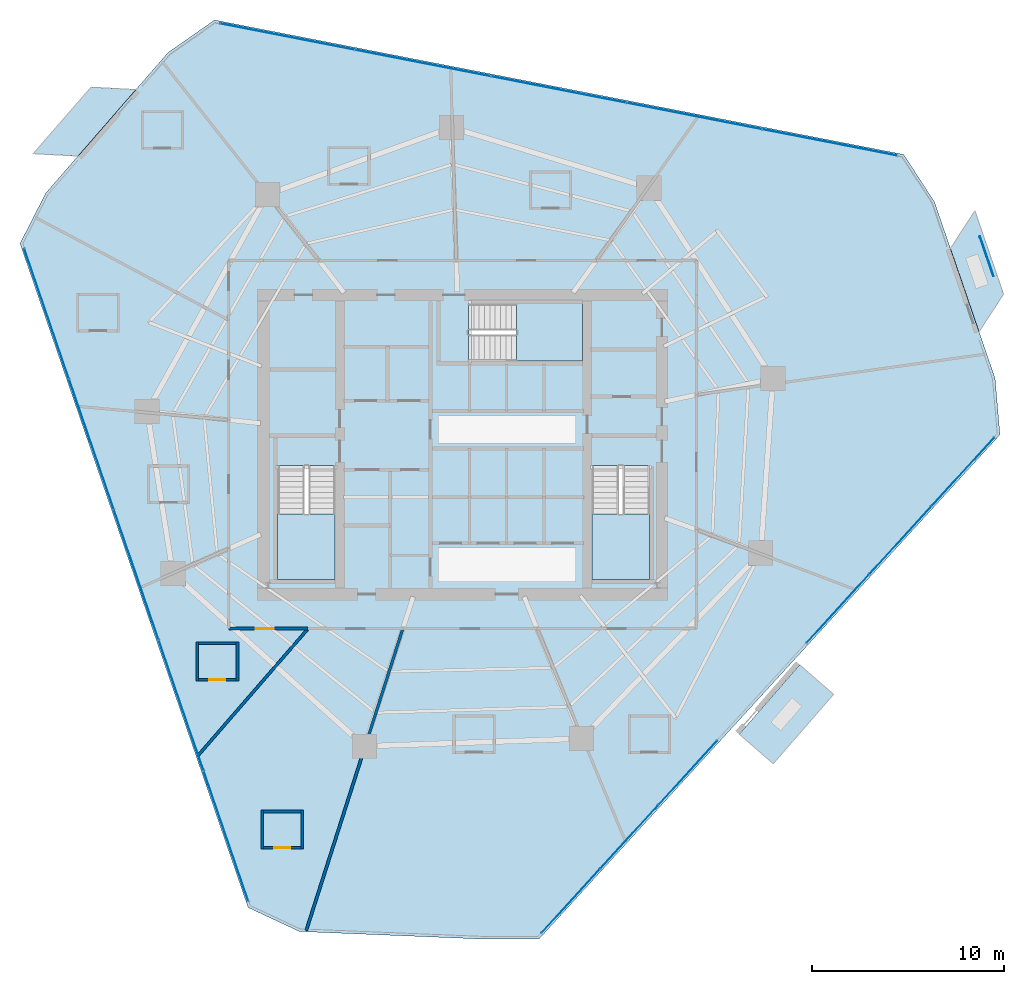
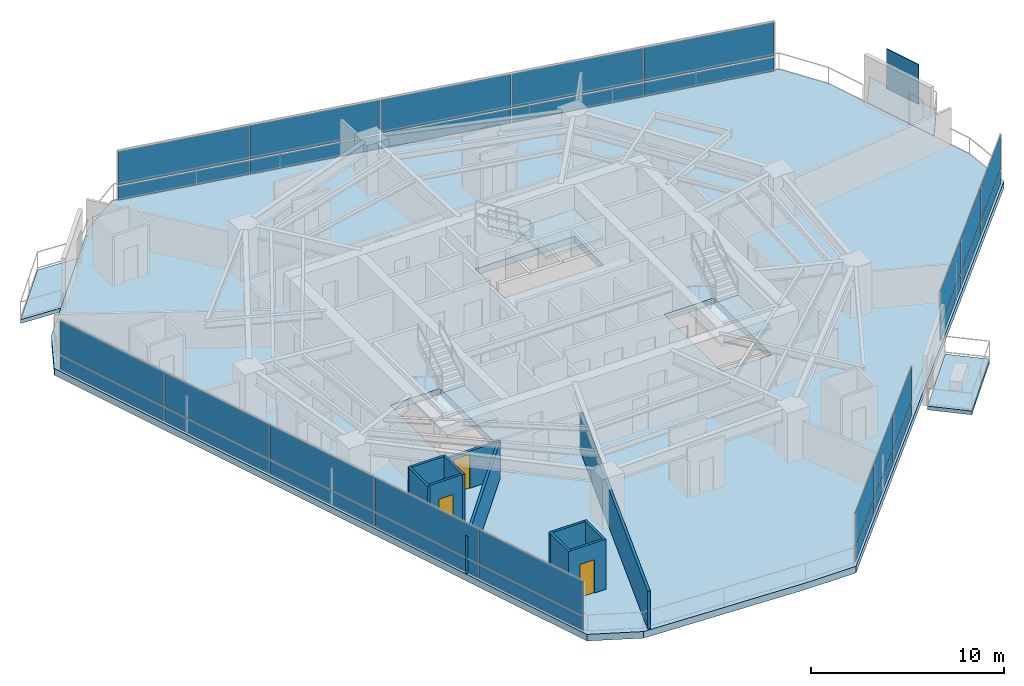
# One storey, part 25 of 33: 33 plates, 11 walls, 7 slabs, 3 doors, 3 openings, 7 elements without a shape of their own.
"""IFC4 building model written with IfcOpenShell, lengths in metres."""

from ifc_helpers import new_model, si_unit, direction, frame, frame_2d, origin, origin_2d, place, context, subcontext, project, spatial, polyline, rectangle, outline, extrude, material, layer, layer_set, type_object, element, fill, aggregate, save


model = new_model("IFC4")

# Units and contexts
model_context = context("Model", 3, precision=1e-05, world=origin(), true_north=direction((0.0, 1.0)))
body_context = subcontext(model_context, "Body", "Model", "MODEL_VIEW")
ifc_project = project(units=[si_unit("LENGTHUNIT", "METRE"), si_unit("AREAUNIT", "SQUARE_METRE"), si_unit("VOLUMEUNIT", "CUBIC_METRE"), si_unit("PLANEANGLEUNIT", "RADIAN"), si_unit("MASSUNIT", "GRAM", prefix="KILO")], contexts=[model_context])

# Site, building, storey
site_placement = place(None, origin())
site = spatial("IfcSite", under=ifc_project, at=site_placement, CompositionType="ELEMENT")
building_placement = place(site_placement, origin())
building = spatial("IfcBuilding", under=site, at=building_placement, Name="Qarnah Convention Tower", CompositionType="ELEMENT")
storey_placement = place(building_placement, frame((0.0, 0.0, 27.0)))
storey = spatial("IfcBuildingStorey", under=building, at=storey_placement, Name="L05", CompositionType="ELEMENT", Elevation=27.0)

# Curtain wall, plates
ifc_material_1 = material(Name="Tempered Low-E dark glass", Category="glass")
ifc_layer_1 = layer(ifc_material_1, 0.16796875)
ifc_layer_set_1 = layer_set([ifc_layer_1], Name="Tempered Low-E dark glass")
curtain_wall_type = type_object("IfcCurtainWallType", Name="CWS-01", PredefinedType="NOTDEFINED", material=ifc_layer_set_1)
curtain_wall_1_placement = place(storey_placement, origin())
curtain_wall_1 = element("IfcCurtainWall", 1, at=curtain_wall_1_placement, inside=storey, type_object=curtain_wall_type, Name="L05 unitised curtain wall CW-L05-F1", PredefinedType="NOTDEFINED")
ifc_layer_2 = layer(ifc_material_1, 0.028076171875)
ifc_layer_set_2 = layer_set([ifc_layer_2], Name="Tempered Low-E dark glass")
plate_type_1 = type_object("IfcPlateType", Name="PNL-T1", PredefinedType="CURTAIN_PANEL", material=ifc_layer_set_2)
plate_1_placement = place(storey_placement, frame((24.853515625, 5.974365234375, 0.0400390625), z_axis=(0.0, 0.0, 1.0), x_axis=(-0.324891257672, 0.945751378899, 0.0)))
plate_1 = element("IfcPlate", 2, at=plate_1_placement, type_object=plate_type_1, Name="CW-L05-F1 curtain panel 1.1", PredefinedType="CURTAIN_PANEL", context=body_context, shape_type="SweptSolid", body=[
    extrude(rectangle(XDim=7.12548828125, YDim=0.028076171875, at=origin_2d()), origin(), (0.0, 0.0, 1.0), 0.8701171875),
])
plate_2_placement = place(storey_placement, frame((24.853515625, 5.974365234375, 0.990234375), z_axis=(0.0, 0.0, 1.0), x_axis=(-0.324891257672, 0.945751378899, 0.0)))
plate_2 = element("IfcPlate", 3, at=plate_2_placement, type_object=plate_type_1, Name="CW-L05-F1 curtain panel 1.2", PredefinedType="CURTAIN_PANEL", context=body_context, shape_type="SweptSolid", body=[
    extrude(rectangle(XDim=7.12548828125, YDim=0.028076171875, at=origin_2d()), origin(), (0.0, 0.0, 1.0), 2.139892578125),
])
plate_3_placement = place(storey_placement, frame((22.512451171875, 12.788818359375, 0.0400390625), z_axis=(0.0, 0.0, 1.0), x_axis=(-0.324891257672, 0.945751378899, 0.0)))
plate_3 = element("IfcPlate", 4, at=plate_3_placement, type_object=plate_type_1, Name="CW-L05-F1 curtain panel 2.1", PredefinedType="CURTAIN_PANEL", context=body_context, shape_type="SweptSolid", body=[
    extrude(rectangle(XDim=7.12548828125, YDim=0.028076171875, at=origin_2d()), origin(), (0.0, 0.0, 1.0), 0.8701171875),
])
plate_4_placement = place(storey_placement, frame((22.512451171875, 12.788818359375, 0.990234375), z_axis=(0.0, 0.0, 1.0), x_axis=(-0.324891257672, 0.945751378899, 0.0)))
plate_4 = element("IfcPlate", 5, at=plate_4_placement, type_object=plate_type_1, Name="CW-L05-F1 curtain panel 2.2", PredefinedType="CURTAIN_PANEL", context=body_context, shape_type="SweptSolid", body=[
    extrude(rectangle(XDim=7.12548828125, YDim=0.028076171875, at=origin_2d()), origin(), (0.0, 0.0, 1.0), 2.139892578125),
])
plate_5_placement = place(storey_placement, frame((20.17138671875, 19.603515625, 0.0400390625), z_axis=(0.0, 0.0, 1.0), x_axis=(-0.324891257672, 0.945751378899, 0.0)))
plate_5 = element("IfcPlate", 6, at=plate_5_placement, type_object=plate_type_1, Name="CW-L05-F1 curtain panel 3.1", PredefinedType="CURTAIN_PANEL", context=body_context, shape_type="SweptSolid", body=[
    extrude(rectangle(XDim=7.12548828125, YDim=0.028076171875, at=origin_2d()), origin(), (0.0, 0.0, 1.0), 0.8701171875),
])
plate_6_placement = place(storey_placement, frame((20.17138671875, 19.603515625, 0.990234375), z_axis=(0.0, 0.0, 1.0), x_axis=(-0.324891257672, 0.945751378899, 0.0)))
plate_6 = element("IfcPlate", 7, at=plate_6_placement, type_object=plate_type_1, Name="CW-L05-F1 curtain panel 3.2", PredefinedType="CURTAIN_PANEL", context=body_context, shape_type="SweptSolid", body=[
    extrude(rectangle(XDim=7.12548828125, YDim=0.028076171875, at=origin_2d()), origin(), (0.0, 0.0, 1.0), 2.139892578125),
])
plate_7_placement = place(storey_placement, frame((17.83056640625, 26.418212890625, 0.0400390625), z_axis=(0.0, 0.0, 1.0), x_axis=(-0.324891257672, 0.945751378899, 0.0)))
plate_7 = element("IfcPlate", 8, at=plate_7_placement, type_object=plate_type_1, Name="CW-L05-F1 curtain panel 4.1", PredefinedType="CURTAIN_PANEL", context=body_context, shape_type="SweptSolid", body=[
    extrude(rectangle(XDim=7.12548828125, YDim=0.028076171875, at=origin_2d()), origin(), (0.0, 0.0, 1.0), 0.8701171875),
])
plate_8_placement = place(storey_placement, frame((17.83056640625, 26.418212890625, 0.990234375), z_axis=(0.0, 0.0, 1.0), x_axis=(-0.324891257672, 0.945751378899, 0.0)))
plate_8 = element("IfcPlate", 9, at=plate_8_placement, type_object=plate_type_1, Name="CW-L05-F1 curtain panel 4.2", PredefinedType="CURTAIN_PANEL", context=body_context, shape_type="SweptSolid", body=[
    extrude(rectangle(XDim=7.12548828125, YDim=0.028076171875, at=origin_2d()), origin(), (0.0, 0.0, 1.0), 2.139892578125),
])
plate_9_placement = place(storey_placement, frame((15.489501953125, 33.232666015625, 0.0400390625), z_axis=(0.0, 0.0, 1.0), x_axis=(-0.324891257672, 0.945751378899, 0.0)))
plate_9 = element("IfcPlate", 10, at=plate_9_placement, type_object=plate_type_1, Name="CW-L05-F1 curtain panel 5.1", PredefinedType="CURTAIN_PANEL", context=body_context, shape_type="SweptSolid", body=[
    extrude(rectangle(XDim=7.12548828125, YDim=0.028076171875, at=origin_2d()), origin(), (0.0, 0.0, 1.0), 0.8701171875),
])
plate_10_placement = place(storey_placement, frame((15.489501953125, 33.232666015625, 0.990234375), z_axis=(0.0, 0.0, 1.0), x_axis=(-0.324891257672, 0.945751378899, 0.0)))
plate_10 = element("IfcPlate", 11, at=plate_10_placement, type_object=plate_type_1, Name="CW-L05-F1 curtain panel 5.2", PredefinedType="CURTAIN_PANEL", context=body_context, shape_type="SweptSolid", body=[
    extrude(rectangle(XDim=7.12548828125, YDim=0.028076171875, at=origin_2d()), origin(), (0.0, 0.0, 1.0), 2.139892578125),
])
aggregate(curtain_wall_1, [plate_1, plate_2, plate_3, plate_4, plate_5, plate_6, plate_7, plate_8, plate_9, plate_10])

curtain_wall_2_placement = place(storey_placement, origin())
curtain_wall_2 = element("IfcCurtainWall", 12, at=curtain_wall_2_placement, inside=storey, type_object=curtain_wall_type, Name="L05 unitised curtain wall CW-L05-F2", PredefinedType="NOTDEFINED")
plate_11_placement = place(storey_placement, frame((28.066162109375, 47.68115234375, 0.0400390625), z_axis=(0.0, 0.0, 1.0), x_axis=(0.981495298553, -0.191486236892, 0.0)))
plate_11 = element("IfcPlate", 13, at=plate_11_placement, type_object=plate_type_1, Name="CW-L05-F2 curtain panel 1.1", PredefinedType="CURTAIN_PANEL", context=body_context, shape_type="SweptSolid", body=[
    extrude(rectangle(XDim=7.125732421875, YDim=0.028076171875, at=origin_2d()), origin(), (0.0, 0.0, 1.0), 0.8701171875),
])
plate_12_placement = place(storey_placement, frame((28.066162109375, 47.68115234375, 0.990234375), z_axis=(0.0, 0.0, 1.0), x_axis=(0.981495298553, -0.191486236892, 0.0)))
plate_12 = element("IfcPlate", 14, at=plate_12_placement, type_object=plate_type_1, Name="CW-L05-F2 curtain panel 1.2", PredefinedType="CURTAIN_PANEL", context=body_context, shape_type="SweptSolid", body=[
    extrude(rectangle(XDim=7.125732421875, YDim=0.028076171875, at=origin_2d()), origin(), (0.0, 0.0, 1.0), 2.139892578125),
])
plate_13_placement = place(storey_placement, frame((35.138671875, 46.30126953125, 0.0400390625), z_axis=(0.0, 0.0, 1.0), x_axis=(0.981495298553, -0.191486236892, 0.0)))
plate_13 = element("IfcPlate", 15, at=plate_13_placement, type_object=plate_type_1, Name="CW-L05-F2 curtain panel 2.1", PredefinedType="CURTAIN_PANEL", context=body_context, shape_type="SweptSolid", body=[
    extrude(rectangle(XDim=7.125732421875, YDim=0.028076171875, at=origin_2d()), origin(), (0.0, 0.0, 1.0), 0.8701171875),
])
plate_14_placement = place(storey_placement, frame((35.138671875, 46.30126953125, 0.990234375), z_axis=(0.0, 0.0, 1.0), x_axis=(0.981495298553, -0.191486236892, 0.0)))
plate_14 = element("IfcPlate", 16, at=plate_14_placement, type_object=plate_type_1, Name="CW-L05-F2 curtain panel 2.2", PredefinedType="CURTAIN_PANEL", context=body_context, shape_type="SweptSolid", body=[
    extrude(rectangle(XDim=7.125732421875, YDim=0.028076171875, at=origin_2d()), origin(), (0.0, 0.0, 1.0), 2.139892578125),
])
plate_15_placement = place(storey_placement, frame((42.2109375, 44.92138671875, 0.0400390625), z_axis=(0.0, 0.0, 1.0), x_axis=(0.981495298553, -0.191486236892, 0.0)))
plate_15 = element("IfcPlate", 17, at=plate_15_placement, type_object=plate_type_1, Name="CW-L05-F2 curtain panel 3.1", PredefinedType="CURTAIN_PANEL", context=body_context, shape_type="SweptSolid", body=[
    extrude(rectangle(XDim=7.125732421875, YDim=0.028076171875, at=origin_2d()), origin(), (0.0, 0.0, 1.0), 0.8701171875),
])
plate_16_placement = place(storey_placement, frame((42.2109375, 44.92138671875, 0.990234375), z_axis=(0.0, 0.0, 1.0), x_axis=(0.981495298553, -0.191486236892, 0.0)))
plate_16 = element("IfcPlate", 18, at=plate_16_placement, type_object=plate_type_1, Name="CW-L05-F2 curtain panel 3.2", PredefinedType="CURTAIN_PANEL", context=body_context, shape_type="SweptSolid", body=[
    extrude(rectangle(XDim=7.125732421875, YDim=0.028076171875, at=origin_2d()), origin(), (0.0, 0.0, 1.0), 2.139892578125),
])
plate_17_placement = place(storey_placement, frame((49.283447265625, 43.541748046875, 0.0400390625), z_axis=(0.0, 0.0, 1.0), x_axis=(0.981495298553, -0.191486236892, 0.0)))
plate_17 = element("IfcPlate", 19, at=plate_17_placement, type_object=plate_type_1, Name="CW-L05-F2 curtain panel 4.1", PredefinedType="CURTAIN_PANEL", context=body_context, shape_type="SweptSolid", body=[
    extrude(rectangle(XDim=7.125732421875, YDim=0.028076171875, at=origin_2d()), origin(), (0.0, 0.0, 1.0), 0.8701171875),
])
plate_18_placement = place(storey_placement, frame((49.283447265625, 43.541748046875, 0.990234375), z_axis=(0.0, 0.0, 1.0), x_axis=(0.981495298553, -0.191486236892, 0.0)))
plate_18 = element("IfcPlate", 20, at=plate_18_placement, type_object=plate_type_1, Name="CW-L05-F2 curtain panel 4.2", PredefinedType="CURTAIN_PANEL", context=body_context, shape_type="SweptSolid", body=[
    extrude(rectangle(XDim=7.125732421875, YDim=0.028076171875, at=origin_2d()), origin(), (0.0, 0.0, 1.0), 2.139892578125),
])
plate_19_placement = place(storey_placement, frame((56.355712890625, 42.161865234375, 0.0400390625), z_axis=(0.0, 0.0, 1.0), x_axis=(0.981495298553, -0.191486236892, 0.0)))
plate_19 = element("IfcPlate", 21, at=plate_19_placement, type_object=plate_type_1, Name="CW-L05-F2 curtain panel 5.1", PredefinedType="CURTAIN_PANEL", context=body_context, shape_type="SweptSolid", body=[
    extrude(rectangle(XDim=7.125732421875, YDim=0.028076171875, at=origin_2d()), origin(), (0.0, 0.0, 1.0), 0.8701171875),
])
plate_20_placement = place(storey_placement, frame((56.355712890625, 42.161865234375, 0.990234375), z_axis=(0.0, 0.0, 1.0), x_axis=(0.981495298553, -0.191486236892, 0.0)))
plate_20 = element("IfcPlate", 22, at=plate_20_placement, type_object=plate_type_1, Name="CW-L05-F2 curtain panel 5.2", PredefinedType="CURTAIN_PANEL", context=body_context, shape_type="SweptSolid", body=[
    extrude(rectangle(XDim=7.125732421875, YDim=0.028076171875, at=origin_2d()), origin(), (0.0, 0.0, 1.0), 2.139892578125),
])
aggregate(curtain_wall_2, [plate_11, plate_12, plate_13, plate_14, plate_15, plate_16, plate_17, plate_18, plate_19, plate_20])

curtain_wall_3_placement = place(storey_placement, origin())
curtain_wall_3 = element("IfcCurtainWall", 23, at=curtain_wall_3_placement, inside=storey, type_object=curtain_wall_type, Name="L05 unitised curtain wall CW-L05-F3", PredefinedType="NOTDEFINED")
plate_21_placement = place(storey_placement, frame((63.3056640625, 24.979736328125, 0.0400390625), z_axis=(0.0, 0.0, 1.0), x_axis=(-0.674681503435, -0.738108981738, 0.0)))
plate_21 = element("IfcPlate", 24, at=plate_21_placement, type_object=plate_type_1, Name="CW-L05-F3 curtain panel 1.1", PredefinedType="CURTAIN_PANEL", context=body_context, shape_type="SweptSolid", body=[
    extrude(rectangle(XDim=4.770751953125, YDim=0.028076171875, at=origin_2d()), origin(), (0.0, 0.0, 1.0), 0.8701171875),
])
plate_22_placement = place(storey_placement, frame((63.3056640625, 24.979736328125, 0.990234375), z_axis=(0.0, 0.0, 1.0), x_axis=(-0.674681503435, -0.738108981738, 0.0)))
plate_22 = element("IfcPlate", 25, at=plate_22_placement, type_object=plate_type_1, Name="CW-L05-F3 curtain panel 1.2", PredefinedType="CURTAIN_PANEL", context=body_context, shape_type="SweptSolid", body=[
    extrude(rectangle(XDim=4.770751953125, YDim=0.028076171875, at=origin_2d()), origin(), (0.0, 0.0, 1.0), 2.139892578125),
])
plate_23_placement = place(storey_placement, frame((60.032958984375, 21.3994140625, 0.0400390625), z_axis=(0.0, 0.0, 1.0), x_axis=(-0.674681503435, -0.738108981738, 0.0)))
plate_23 = element("IfcPlate", 26, at=plate_23_placement, type_object=plate_type_1, Name="CW-L05-F3 curtain panel 2.1", PredefinedType="CURTAIN_PANEL", context=body_context, shape_type="SweptSolid", body=[
    extrude(rectangle(XDim=4.770751953125, YDim=0.028076171875, at=origin_2d()), origin(), (0.0, 0.0, 1.0), 0.8701171875),
])
plate_24_placement = place(storey_placement, frame((60.032958984375, 21.3994140625, 0.990234375), z_axis=(0.0, 0.0, 1.0), x_axis=(-0.674681503435, -0.738108981738, 0.0)))
plate_24 = element("IfcPlate", 27, at=plate_24_placement, type_object=plate_type_1, Name="CW-L05-F3 curtain panel 2.2", PredefinedType="CURTAIN_PANEL", context=body_context, shape_type="SweptSolid", body=[
    extrude(rectangle(XDim=4.770751953125, YDim=0.028076171875, at=origin_2d()), origin(), (0.0, 0.0, 1.0), 2.139892578125),
])
plate_25_placement = place(storey_placement, frame((56.76025390625, 17.819091796875, 0.0400390625), z_axis=(0.0, 0.0, 1.0), x_axis=(-0.674681503435, -0.738108981738, 0.0)))
plate_25 = element("IfcPlate", 28, at=plate_25_placement, type_object=plate_type_1, Name="CW-L05-F3 curtain panel 3.1", PredefinedType="CURTAIN_PANEL", context=body_context, shape_type="SweptSolid", body=[
    extrude(rectangle(XDim=4.770751953125, YDim=0.028076171875, at=origin_2d()), origin(), (0.0, 0.0, 1.0), 0.8701171875),
])
plate_26_placement = place(storey_placement, frame((56.76025390625, 17.819091796875, 0.990234375), z_axis=(0.0, 0.0, 1.0), x_axis=(-0.674681503435, -0.738108981738, 0.0)))
plate_26 = element("IfcPlate", 29, at=plate_26_placement, type_object=plate_type_1, Name="CW-L05-F3 curtain panel 3.2", PredefinedType="CURTAIN_PANEL", context=body_context, shape_type="SweptSolid", body=[
    extrude(rectangle(XDim=4.770751953125, YDim=0.028076171875, at=origin_2d()), origin(), (0.0, 0.0, 1.0), 2.139892578125),
])
aggregate(curtain_wall_3, [plate_21, plate_22, plate_23, plate_24, plate_25, plate_26])

curtain_wall_4_placement = place(storey_placement, origin())
curtain_wall_4 = element("IfcCurtainWall", 30, at=curtain_wall_4_placement, inside=storey, type_object=curtain_wall_type, Name="L05 unitised curtain wall CW-L05-F4", PredefinedType="NOTDEFINED")
plate_27_placement = place(storey_placement, frame((48.955322265625, 9.28125, 0.0400390625), z_axis=(0.0, 0.0, 1.0), x_axis=(-0.674643525132, -0.738143694681, 0.0)))
plate_27 = element("IfcPlate", 31, at=plate_27_placement, type_object=plate_type_1, Name="CW-L05-F4 curtain panel 1.1", PredefinedType="CURTAIN_PANEL", context=body_context, shape_type="SweptSolid", body=[
    extrude(rectangle(XDim=4.460693359375, YDim=0.028076171875, at=origin_2d()), origin(), (0.0, 0.0, 1.0), 0.8701171875),
])
plate_28_placement = place(storey_placement, frame((48.955322265625, 9.28125, 0.990234375), z_axis=(0.0, 0.0, 1.0), x_axis=(-0.674643525132, -0.738143694681, 0.0)))
plate_28 = element("IfcPlate", 32, at=plate_28_placement, type_object=plate_type_1, Name="CW-L05-F4 curtain panel 1.2", PredefinedType="CURTAIN_PANEL", context=body_context, shape_type="SweptSolid", body=[
    extrude(rectangle(XDim=4.460693359375, YDim=0.028076171875, at=origin_2d()), origin(), (0.0, 0.0, 1.0), 2.139892578125),
])
plate_29_placement = place(storey_placement, frame((45.89208984375, 5.929443359375, 0.0400390625), z_axis=(0.0, 0.0, 1.0), x_axis=(-0.674643525132, -0.738143694681, 0.0)))
plate_29 = element("IfcPlate", 33, at=plate_29_placement, type_object=plate_type_1, Name="CW-L05-F4 curtain panel 2.1", PredefinedType="CURTAIN_PANEL", context=body_context, shape_type="SweptSolid", body=[
    extrude(rectangle(XDim=4.460693359375, YDim=0.028076171875, at=origin_2d()), origin(), (0.0, 0.0, 1.0), 0.8701171875),
])
plate_30_placement = place(storey_placement, frame((45.89208984375, 5.929443359375, 0.990234375), z_axis=(0.0, 0.0, 1.0), x_axis=(-0.674643525132, -0.738143694681, 0.0)))
plate_30 = element("IfcPlate", 34, at=plate_30_placement, type_object=plate_type_1, Name="CW-L05-F4 curtain panel 2.2", PredefinedType="CURTAIN_PANEL", context=body_context, shape_type="SweptSolid", body=[
    extrude(rectangle(XDim=4.460693359375, YDim=0.028076171875, at=origin_2d()), origin(), (0.0, 0.0, 1.0), 2.139892578125),
])
plate_31_placement = place(storey_placement, frame((42.82861328125, 2.577880859375, 0.0400390625), z_axis=(0.0, 0.0, 1.0), x_axis=(-0.674643525132, -0.738143694681, 0.0)))
plate_31 = element("IfcPlate", 35, at=plate_31_placement, type_object=plate_type_1, Name="CW-L05-F4 curtain panel 3.1", PredefinedType="CURTAIN_PANEL", context=body_context, shape_type="SweptSolid", body=[
    extrude(rectangle(XDim=4.460693359375, YDim=0.028076171875, at=origin_2d()), origin(), (0.0, 0.0, 1.0), 0.8701171875),
])
plate_32_placement = place(storey_placement, frame((42.82861328125, 2.577880859375, 0.990234375), z_axis=(0.0, 0.0, 1.0), x_axis=(-0.674643525132, -0.738143694681, 0.0)))
plate_32 = element("IfcPlate", 36, at=plate_32_placement, type_object=plate_type_1, Name="CW-L05-F4 curtain panel 3.2", PredefinedType="CURTAIN_PANEL", context=body_context, shape_type="SweptSolid", body=[
    extrude(rectangle(XDim=4.460693359375, YDim=0.028076171875, at=origin_2d()), origin(), (0.0, 0.0, 1.0), 2.139892578125),
])
aggregate(curtain_wall_4, [plate_27, plate_28, plate_29, plate_30, plate_31, plate_32])

# Plate
ifc_material_2 = material(Name="Black anodised aluminium", Category="aluminium")
ifc_layer_3 = layer(ifc_material_2, 0.044921875)
ifc_layer_set_3 = layer_set([ifc_layer_3], Name="Black anodised aluminium")
plate_type_2 = type_object("IfcPlateType", Name="SCR-BAL-18", PredefinedType="USERDEFINED", material=ifc_layer_set_3)
plate_33_placement = place(storey_placement, frame((64.541015625, 36.218017578125, 0.0), z_axis=(0.0, 0.0, 1.0), x_axis=(0.324757766569, -0.945797226182, 0.0)))
element("IfcPlate", 37, at=plate_33_placement, inside=storey, type_object=plate_type_2, Name="L05 perforated desert solar screen BAL-L05-C1", ObjectType="SCREEN", PredefinedType="USERDEFINED", context=body_context, shape_type="SweptSolid", body=[
    extrude(rectangle(XDim=2.199951171875, YDim=0.044921875, at=origin_2d()), origin(), (0.0, 0.0, 1.0), 2.5),
])

# Slabs
ifc_material_3 = material(Name="Concrete C45/55", Category="concrete")
ifc_layer_4 = layer(ifc_material_3, 0.239990234375)
ifc_layer_set_4 = layer_set([ifc_layer_4], Name="Concrete C45/55")
slab_type_1 = type_object("IfcSlabType", Name="SLB-BAL-240", PredefinedType="USERDEFINED", material=ifc_layer_set_4)
slab_1_placement = place(storey_placement, frame((0.0, 0.0, -0.239990234375)))
element("IfcSlab", 38, at=slab_1_placement, inside=storey, type_object=slab_type_1, Name="L05 cantilevered balcony slab BAL-L05-C1", ObjectType="BALCONY", PredefinedType="USERDEFINED", context=body_context, shape_type="SweptSolid", body=[
    extrude(outline(polyline([(63.925048828125, 38.594970703125), (65.4189453125, 34.243896484375), (64.139892578125, 32.277099609375), (62.64501953125, 36.6279296875), (63.925048828125, 38.594970703125)])), origin(), (0.0, 0.0, 1.0), 0.239990234375),
])
slab_2_placement = place(storey_placement, frame((0.0, 0.0, -0.239990234375)))
element("IfcSlab", 39, at=slab_2_placement, inside=storey, type_object=slab_type_1, Name="L05 cantilevered balcony slab BAL-L05-C2", ObjectType="BALCONY", PredefinedType="USERDEFINED", context=body_context, shape_type="SweptSolid", body=[
    extrude(outline(polyline([(14.7939453125, 41.571044921875), (17.81396484375, 45.041015625), (20.156005859375, 44.916015625), (17.135986328125, 41.447021484375), (14.7939453125, 41.571044921875)])), origin(), (0.0, 0.0, 1.0), 0.239990234375),
])
slab_3_placement = place(storey_placement, frame((0.0, 0.0, -0.239990234375)))
element("IfcSlab", 40, at=slab_3_placement, inside=storey, type_object=slab_type_1, Name="L05 cantilevered balcony slab VN-L05", ObjectType="BALCONY", PredefinedType="USERDEFINED", context=body_context, shape_type="SweptSolid", body=[
    extrude(outline(polyline([(54.781005859375, 14.908935546875), (56.552978515625, 13.365966796875), (53.402099609375, 9.74609375), (51.62890625, 11.2890625), (54.781005859375, 14.908935546875)])), origin(), (0.0, 0.0, 1.0), 0.239990234375),
])

# Stair, slab
ifc_material_4 = material(Name="Concrete C50/60", Category="concrete")
stair_type = type_object("IfcStairType", Name="STR-HTL", PredefinedType="HALF_TURN_STAIR", material=ifc_material_4)
stair_1_placement = place(storey_placement, origin())
stair_1 = element("IfcStair", 41, at=stair_1_placement, inside=storey, type_object=stair_type, Name="L05 Core exit stair ST-1", PredefinedType="HALF_TURN_STAIR")
ifc_layer_5 = layer(ifc_material_4, 0.199951171875)
ifc_layer_set_5 = layer_set([ifc_layer_5], Name="Concrete C50/60")
slab_type_2 = type_object("IfcSlabType", Name="SLB-LANDING-200", PredefinedType="LANDING", material=ifc_layer_set_5)
slab_4_placement = place(storey_placement, frame((0.0, 0.0, 1.52490234375)))
slab_4 = element("IfcSlab", 42, at=slab_4_placement, type_object=slab_type_2, Name="ST-1 landing 1", PredefinedType="LANDING", context=body_context, shape_type="SweptSolid", body=[
    extrude(outline(polyline([(27.550048828125, 22.780029296875), (27.550048828125, 19.35009765625), (30.550048828125, 19.35009765625), (30.550048828125, 22.780029296875), (27.550048828125, 22.780029296875)])), origin(), (0.0, 0.0, 1.0), 0.2001953125),
])
aggregate(stair_1, [slab_4])

stair_2_placement = place(storey_placement, origin())
stair_2 = element("IfcStair", 43, at=stair_2_placement, inside=storey, type_object=stair_type, Name="L05 Core exit stair ST-2", PredefinedType="HALF_TURN_STAIR")
slab_5_placement = place(storey_placement, frame((0.0, 0.0, 1.52490234375)))
slab_5 = element("IfcSlab", 44, at=slab_5_placement, type_object=slab_type_2, Name="ST-2 landing 1", PredefinedType="LANDING", context=body_context, shape_type="SweptSolid", body=[
    extrude(outline(polyline([(43.949951171875, 22.780029296875), (43.949951171875, 19.35009765625), (46.949951171875, 19.35009765625), (46.949951171875, 22.780029296875), (43.949951171875, 22.780029296875)])), origin(), (0.0, 0.0, 1.0), 0.2001953125),
])
aggregate(stair_2, [slab_5])

stair_3_placement = place(storey_placement, origin())
stair_3 = element("IfcStair", 45, at=stair_3_placement, inside=storey, type_object=stair_type, Name="L05 Core exit stair ST-3", PredefinedType="HALF_TURN_STAIR")
slab_6_placement = place(storey_placement, frame((0.0, 0.0, 1.52490234375)))
slab_6 = element("IfcSlab", 46, at=slab_6_placement, type_object=slab_type_2, Name="ST-3 landing 1", PredefinedType="LANDING", context=body_context, shape_type="SweptSolid", body=[
    extrude(outline(polyline([(40.02001953125, 30.75), (43.449951171875, 30.75), (43.449951171875, 33.75), (40.02001953125, 33.75), (40.02001953125, 30.75)])), origin(), (0.0, 0.0, 1.0), 0.2001953125),
])
aggregate(stair_3, [slab_6])

# Slab
ifc_layer_6 = layer(ifc_material_4, 0.419921875)
ifc_layer_set_6 = layer_set([ifc_layer_6], Name="Concrete C50/60")
slab_type_3 = type_object("IfcSlabType", Name="SLB-TRF-420", PredefinedType="FLOOR", material=ifc_layer_set_6)
slab_7_placement = place(storey_placement, frame((0.0, 0.0, -0.419921875)))
element("IfcSlab", 47, at=slab_7_placement, inside=storey, type_object=slab_type_3, Name="L05 structural floor slab", PredefinedType="FLOOR", context=body_context, shape_type="SweptSolid", body=[
    extrude(outline(polyline([(60.208984375, 41.531982421875), (24.259033203125, 48.5458984375), (21.837890625, 46.85400390625), (15.449951171875, 39.51611328125), (14.10791015625, 36.885009765625), (26.008056640625, 2.243896484375), (28.68408203125, 0.993896484375), (38.23291015625, 0.60009765625), (41.18310546875, 0.60009765625), (65.23291015625, 26.909912109375), (64.97705078125, 29.85302734375), (61.81591796875, 39.053955078125), (60.208984375, 41.531982421875)]), holes=[polyline([(27.550048828125, 25.300048828125), (27.550048828125, 19.35009765625), (30.550048828125, 19.35009765625), (30.550048828125, 25.300048828125), (27.550048828125, 25.300048828125)]), polyline([(43.949951171875, 25.300048828125), (43.949951171875, 19.35009765625), (46.949951171875, 19.35009765625), (46.949951171875, 25.300048828125), (43.949951171875, 25.300048828125)]), polyline([(37.5, 30.75), (43.449951171875, 30.75), (43.449951171875, 33.75), (37.5, 33.75), (37.5, 30.75)])]), origin(), (0.0, 0.0, 1.0), 0.419921875),
])

# Wall
ifc_material_5 = material(Name="Gypsum partition board")
ifc_layer_7 = layer(ifc_material_5, 0.14990234375)
ifc_layer_set_7 = layer_set([ifc_layer_7], Name="Gypsum partition board")
wall_type_1 = type_object("IfcWallType", Name="WL-SUITE-150", PredefinedType="PARTITIONING", material=ifc_layer_set_7)
wall_1_placement = place(storey_placement, frame((23.367919921875, 10.139892578125, 0.0), z_axis=(0.0, 0.0, 1.0), x_axis=(0.655252017972, 0.75541034739, 0.0)))
element("IfcWall", 48, at=wall_1_placement, inside=storey, type_object=wall_type_1, Name="L05 interior wall IW-L05-R-54", PredefinedType="PARTITIONING", context=body_context, shape_type="SweptSolid", body=[
    extrude(rectangle(XDim=8.816650390625, YDim=0.14990234375, at=frame_2d((4.408203125, 0.0))), origin(), (0.0, 0.0, 1.0), 2.35498046875),
])

# Wall, opening, door
wall_2_placement = place(storey_placement, frame((29.14501953125, 16.800048828125, 0.0), z_axis=(0.0, 0.0, 1.0), x_axis=(-1.0, 0.0, 0.0)))
wall_2 = element("IfcWall", 49, at=wall_2_placement, inside=storey, type_object=wall_type_1, Name="L05 interior wall IW-L05-R-55", PredefinedType="PARTITIONING", context=body_context, shape_type="SweptSolid", body=[
    extrude(rectangle(XDim=4.14501953125, YDim=0.14990234375, at=frame_2d((2.072509765625, 0.0))), origin(), (0.0, 0.0, 1.0), 2.35498046875),
])
opening_1_placement = place(wall_2_placement, frame((1.791015625, 0.0, 0.0)))
opening_1 = element("IfcOpeningElement", 50, at=opening_1_placement, cuts=wall_2, Name="Opening D-0527", PredefinedType="OPENING", context=body_context, shape_type="SweptSolid", body=[
    extrude(rectangle(XDim=0.949951171875, YDim=2.14990234375, at=frame_2d((0.47509765625, 1.074951171875))), frame((0.0, 0.0849609375, 0.0), z_axis=(0.0, -1.0, 0.0), x_axis=(1.0, 0.0, 0.0)), (0.0, 0.0, 1.0), 0.169921875),
])
ifc_material_6 = material(Name="Oak timber veneer", Category="wood")
door_type_1 = type_object("IfcDoorType", Name="DT-HOTEL-950", OperationType="NOTDEFINED", PredefinedType="DOOR", material=ifc_material_6)
door_1_placement = place(opening_1_placement, origin())
door_1 = element("IfcDoor", 51, at=door_1_placement, inside=storey, type_object=door_type_1, Name="Door D-0527", OperationType="SINGLE_SWING_LEFT", OverallHeight=2.14990234375, OverallWidth=0.949951171875, PredefinedType="DOOR", context=body_context, shape_type="SweptSolid", body=[
    extrude(rectangle(XDim=0.949951171875, YDim=2.14990234375, at=frame_2d((0.47509765625, 1.074951171875))), frame((0.0, 0.02490234375, 0.0), z_axis=(0.0, -1.0, 0.0), x_axis=(1.0, 0.0, 0.0)), (0.0, 0.0, 1.0), 0.050048828125),
])
fill(opening_1, door_1)

# Wall
wall_3_placement = place(storey_placement, frame((29.0439453125, 1.055908203125, 0.0), z_axis=(0.0, 0.0, 1.0), x_axis=(0.304719993412, 0.952441980183, 0.0)))
element("IfcWall", 52, at=wall_3_placement, inside=storey, type_object=wall_type_1, Name="L05 interior wall IW-L05-R-58", PredefinedType="PARTITIONING", context=body_context, shape_type="SweptSolid", body=[
    extrude(rectangle(XDim=16.5302734375, YDim=0.14990234375, at=frame_2d((8.26513671875, 0.0))), origin(), (0.0, 0.0, 1.0), 2.39501953125),
])

# Wall, opening, door
ifc_layer_8 = layer(ifc_material_5, 0.139892578125)
ifc_layer_set_8 = layer_set([ifc_layer_8], Name="Gypsum partition board")
wall_type_2 = type_object("IfcWallType", Name="WL-WET-140", PredefinedType="PARTITIONING", material=ifc_layer_set_8)
wall_4_placement = place(storey_placement, frame((23.282958984375, 14.135009765625, 0.0), z_axis=(0.0, 0.0, 1.0), x_axis=(1.0, 0.0, 0.0)))
wall_4 = element("IfcWall", 53, at=wall_4_placement, inside=storey, type_object=wall_type_2, Name="L05 interior wall IW-L05-ENS06-1", PredefinedType="PARTITIONING", context=body_context, shape_type="SweptSolid", body=[
    extrude(rectangle(XDim=2.239990234375, YDim=0.139892578125, at=frame_2d((1.1201171875, 0.0))), origin(), (0.0, 0.0, 1.0), 3.169921875),
])
opening_2_placement = place(wall_4_placement, frame((0.695068359375, 0.0, 0.0)))
opening_2 = element("IfcOpeningElement", 54, at=opening_2_placement, cuts=wall_4, Name="Opening D-0528", PredefinedType="OPENING", context=body_context, shape_type="SweptSolid", body=[
    extrude(rectangle(XDim=0.85009765625, YDim=2.10009765625, at=frame_2d((0.425048828125, 1.050048828125))), frame((0.0, 0.079833984375, 0.0), z_axis=(0.0, -1.0, 0.0), x_axis=(1.0, 0.0, 0.0)), (0.0, 0.0, 1.0), 0.159912109375),
])
door_type_2 = type_object("IfcDoorType", Name="DT-BATH-850", OperationType="NOTDEFINED", PredefinedType="DOOR", material=ifc_material_6)
door_2_placement = place(opening_2_placement, origin())
door_2 = element("IfcDoor", 55, at=door_2_placement, inside=storey, type_object=door_type_2, Name="Door D-0528", OperationType="SINGLE_SWING_RIGHT", OverallHeight=2.10009765625, OverallWidth=0.85009765625, PredefinedType="DOOR", context=body_context, shape_type="SweptSolid", body=[
    extrude(rectangle(XDim=0.85009765625, YDim=2.10009765625, at=frame_2d((0.425048828125, 1.050048828125))), frame((0.0, 0.02490234375, 0.0), z_axis=(0.0, -1.0, 0.0), x_axis=(1.0, 0.0, 0.0)), (0.0, 0.0, 1.0), 0.050048828125),
])
fill(opening_2, door_2)

# Walls
wall_5_placement = place(storey_placement, frame((25.452880859375, 14.06494140625, 0.0), z_axis=(0.0, 0.0, 1.0), x_axis=(0.0, 1.0, 0.0)))
element("IfcWall", 56, at=wall_5_placement, inside=storey, type_object=wall_type_2, Name="L05 interior wall IW-L05-ENS06-2", PredefinedType="PARTITIONING", context=body_context, shape_type="SweptSolid", body=[
    extrude(rectangle(XDim=2.0400390625, YDim=0.139892578125, at=frame_2d((1.02001953125, 0.0))), origin(), (0.0, 0.0, 1.0), 3.169921875),
])
wall_6_placement = place(storey_placement, frame((25.52294921875, 16.034912109375, 0.0), z_axis=(0.0, 0.0, 1.0), x_axis=(-1.0, 0.0, 0.0)))
element("IfcWall", 57, at=wall_6_placement, inside=storey, type_object=wall_type_2, Name="L05 interior wall IW-L05-ENS06-3", PredefinedType="PARTITIONING", context=body_context, shape_type="SweptSolid", body=[
    extrude(rectangle(XDim=2.239990234375, YDim=0.139892578125, at=frame_2d((1.1201171875, 0.0))), origin(), (0.0, 0.0, 1.0), 3.169921875),
])
wall_7_placement = place(storey_placement, frame((23.35302734375, 16.10498046875, 0.0), z_axis=(0.0, 0.0, 1.0), x_axis=(0.0, -1.0, 0.0)))
element("IfcWall", 58, at=wall_7_placement, inside=storey, type_object=wall_type_2, Name="L05 interior wall IW-L05-ENS06-4", PredefinedType="PARTITIONING", context=body_context, shape_type="SweptSolid", body=[
    extrude(rectangle(XDim=2.0400390625, YDim=0.139892578125, at=frame_2d((1.02001953125, 0.0))), origin(), (0.0, 0.0, 1.0), 3.169921875),
])

# Wall, opening, door
wall_8_placement = place(storey_placement, frame((26.669921875, 5.35888671875, 0.0), z_axis=(0.0, 0.0, 1.0), x_axis=(1.0, 0.0, 0.0)))
wall_8 = element("IfcWall", 59, at=wall_8_placement, inside=storey, type_object=wall_type_2, Name="L05 interior wall IW-L05-ENS07-1", PredefinedType="PARTITIONING", context=body_context, shape_type="SweptSolid", body=[
    extrude(rectangle(XDim=2.239990234375, YDim=0.139892578125, at=frame_2d((1.1201171875, 0.0))), origin(), (0.0, 0.0, 1.0), 3.169921875),
])
opening_3_placement = place(wall_8_placement, frame((0.695068359375, 0.0, 0.0)))
opening_3 = element("IfcOpeningElement", 60, at=opening_3_placement, cuts=wall_8, Name="Opening D-0530", PredefinedType="OPENING", context=body_context, shape_type="SweptSolid", body=[
    extrude(rectangle(XDim=0.85009765625, YDim=2.10009765625, at=frame_2d((0.425048828125, 1.050048828125))), frame((0.0, 0.079833984375, 0.0), z_axis=(0.0, -1.0, 0.0), x_axis=(1.0, 0.0, 0.0)), (0.0, 0.0, 1.0), 0.159912109375),
])
door_3_placement = place(opening_3_placement, origin())
door_3 = element("IfcDoor", 61, at=door_3_placement, inside=storey, type_object=door_type_2, Name="Door D-0530", OperationType="SINGLE_SWING_RIGHT", OverallHeight=2.10009765625, OverallWidth=0.85009765625, PredefinedType="DOOR", context=body_context, shape_type="SweptSolid", body=[
    extrude(rectangle(XDim=0.85009765625, YDim=2.10009765625, at=frame_2d((0.425048828125, 1.050048828125))), frame((0.0, 0.02490234375, 0.0), z_axis=(0.0, -1.0, 0.0), x_axis=(1.0, 0.0, 0.0)), (0.0, 0.0, 1.0), 0.050048828125),
])
fill(opening_3, door_3)

# Walls
wall_9_placement = place(storey_placement, frame((28.840087890625, 5.2890625, 0.0), z_axis=(0.0, 0.0, 1.0), x_axis=(0.0, 1.0, 0.0)))
element("IfcWall", 62, at=wall_9_placement, inside=storey, type_object=wall_type_2, Name="L05 interior wall IW-L05-ENS07-2", PredefinedType="PARTITIONING", context=body_context, shape_type="SweptSolid", body=[
    extrude(rectangle(XDim=2.0400390625, YDim=0.139892578125, at=frame_2d((1.02001953125, 0.0))), origin(), (0.0, 0.0, 1.0), 3.169921875),
])
wall_10_placement = place(storey_placement, frame((28.909912109375, 7.259033203125, 0.0), z_axis=(0.0, 0.0, 1.0), x_axis=(-1.0, 0.0, 0.0)))
element("IfcWall", 63, at=wall_10_placement, inside=storey, type_object=wall_type_2, Name="L05 interior wall IW-L05-ENS07-3", PredefinedType="PARTITIONING", context=body_context, shape_type="SweptSolid", body=[
    extrude(rectangle(XDim=2.239990234375, YDim=0.139892578125, at=frame_2d((1.1201171875, 0.0))), origin(), (0.0, 0.0, 1.0), 3.169921875),
])
wall_11_placement = place(storey_placement, frame((26.739990234375, 7.3291015625, 0.0), z_axis=(0.0, 0.0, 1.0), x_axis=(0.0, -1.0, 0.0)))
element("IfcWall", 64, at=wall_11_placement, inside=storey, type_object=wall_type_2, Name="L05 interior wall IW-L05-ENS07-4", PredefinedType="PARTITIONING", context=body_context, shape_type="SweptSolid", body=[
    extrude(rectangle(XDim=2.0400390625, YDim=0.139892578125, at=frame_2d((1.02001953125, 0.0))), origin(), (0.0, 0.0, 1.0), 3.169921875),
])

save(model, "model.ifc")
